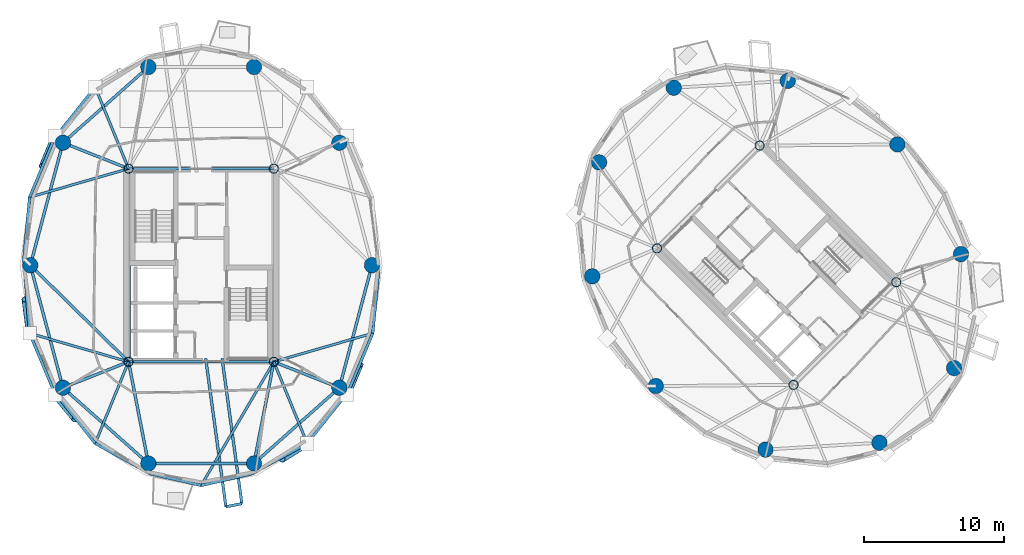
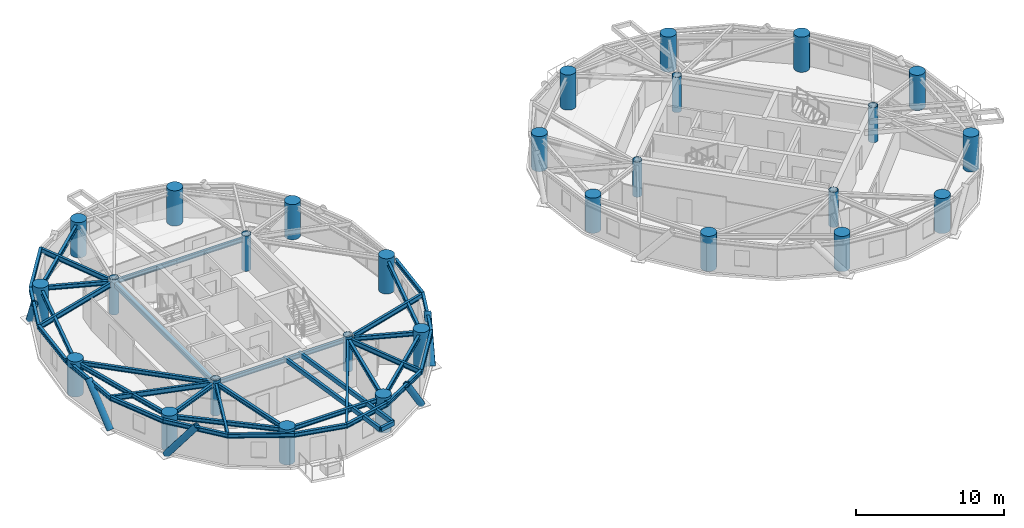
# One storey, part 1 of 16: 39 beams, 28 columns, 5 members.
"""IFC4 building model written with IfcOpenShell, lengths in metres."""

from ifc_helpers import new_model, si_unit, direction, frame, origin, origin_2d, place, context, subcontext, project, spatial, hollow_rectangle, circle, hollow_circle, i_section, extrude, material, material_profile, profile_set, type_object, element, save


model = new_model("IFC4")

# Units and contexts
model_context = context("Model", 3, precision=1e-05, world=origin(), true_north=direction((0.0, 1.0)))
body_context = subcontext(model_context, "Body", "Model", "MODEL_VIEW")
ifc_project = project(units=[si_unit("LENGTHUNIT", "METRE"), si_unit("AREAUNIT", "SQUARE_METRE"), si_unit("VOLUMEUNIT", "CUBIC_METRE"), si_unit("PLANEANGLEUNIT", "RADIAN"), si_unit("MASSUNIT", "GRAM", prefix="KILO")], contexts=[model_context])

# Site, building, storey
site_placement = place(None, origin())
site = spatial("IfcSite", under=ifc_project, at=site_placement, CompositionType="ELEMENT")
building_placement = place(site_placement, origin())
building = spatial("IfcBuilding", under=site, at=building_placement, Name="Cununo Teusaquillo Station Towers", CompositionType="ELEMENT")
storey_placement = place(building_placement, frame((0.0, 0.0, 196.659912109375)))
storey = spatial("IfcBuildingStorey", under=building, at=storey_placement, Name="L62", CompositionType="ELEMENT", Elevation=196.659912109375)

# Columns
ifc_material_1 = material(Name="Steel EN 10025-2 S355J2", Category="steel")
ifc_material_profile_1 = material_profile(ifc_material_1, hollow_circle(Radius=0.330078125, WallThickness=0.02490234375, at=origin_2d()), Name="CHS 660x25")
ifc_profile_set_1 = profile_set([ifc_material_profile_1], Name="Steel EN 10025-2 S355J2")
column_type_1 = type_object("IfcColumnType", Name="COL-CORE-Z3", PredefinedType="COLUMN", material=ifc_profile_set_1)
for number, where, z_axis, x_axis, name in (
    (1, (11.324951171875, 17.6201171875, 0.0), (0.0, 0.0, 1.0), (1.0, 0.0, 0.0), "L62 Tower A Core Column 1"),
    (2, (11.324951171875, 31.3798828125, 0.0), (0.0, 0.0, 1.0), (1.0, 0.0, 0.0), "L62 Tower A Core Column 2"),
    (3, (21.675048828125, 17.6201171875, 0.0), (0.0, 0.0, 1.0), (1.0, 0.0, 0.0), "L62 Tower A Core Column 3"),
    (4, (21.675048828125, 31.3798828125, 0.0), (0.0, 0.0, 1.0), (1.0, 0.0, 0.0), "L62 Tower A Core Column 4"),
    (5, (58.70556640625, 15.975830078125, 0.0), (0.0, 0.0, 1.0), (0.707106781187, 0.707106781187, 0.0), "L62 Tower B Core Column 1"),
    (6, (48.975830078125, 25.70556640625, 0.0), (0.0, 0.0, 1.0), (0.707106781187, 0.707106781187, 0.0), "L62 Tower B Core Column 2"),
    (7, (66.024169921875, 23.29443359375, 0.0), (0.0, 0.0, 1.0), (0.707106781187, 0.707106781187, 0.0), "L62 Tower B Core Column 3"),
    (8, (56.29443359375, 33.024169921875, 0.0), (0.0, 0.0, 1.0), (0.707106781187, 0.707106781187, 0.0), "L62 Tower B Core Column 4"),
):
    element("IfcColumn", number, at=place(storey_placement, frame(where, z_axis=z_axis, x_axis=x_axis)), inside=storey, type_object=column_type_1, Name=name, PredefinedType="COLUMN", context=body_context, shape_type="SweptSolid", body=[
        extrude(hollow_circle(Radius=0.330078125, WallThickness=0.02490234375, at=origin_2d()), origin(), (0.0, 0.0, 1.0), 2.91015625),
    ])
ifc_material_2 = material(Name="Concrete C50/60", Category="concrete")
ifc_material_profile_2 = material_profile(ifc_material_2, circle(Radius=0.550048828125, at=origin_2d()), Name="RC-CIRC-1100")
ifc_profile_set_2 = profile_set([ifc_material_profile_2], Name="Concrete C50/60")
column_type_2 = type_object("IfcColumnType", Name="COL-MEGA-Z4", PredefinedType="USERDEFINED", material=ifc_profile_set_2)
for number, where, z_axis, x_axis, name in (
    (9, (28.672119140625, 24.5, 0.0), (0.0, 0.0, 1.0), (1.0, 0.0, 0.0), "L62 Tower A Perimeter Column V00"),
    (10, (26.347412109375, 33.228515625, 0.0), (0.0, 0.0, 1.0), (1.0, 0.0, 0.0), "L62 Tower A Perimeter Column V02"),
    (11, (20.261474609375, 38.623291015625, 0.0), (0.0, 0.0, 1.0), (1.0, 0.0, 0.0), "L62 Tower A Perimeter Column V04"),
    (12, (12.738525390625, 38.623291015625, 0.0), (0.0, 0.0, 1.0), (1.0, 0.0, 0.0), "L62 Tower A Perimeter Column V06"),
    (13, (6.652587890625, 33.228515625, 0.0), (0.0, 0.0, 1.0), (1.0, 0.0, 0.0), "L62 Tower A Perimeter Column V08"),
    (14, (4.327880859375, 24.5, 0.0), (0.0, 0.0, 1.0), (1.0, 0.0, 0.0), "L62 Tower A Perimeter Column V10"),
    (15, (6.652587890625, 15.771484375, 0.0), (0.0, 0.0, 1.0), (1.0, 0.0, 0.0), "L62 Tower A Perimeter Column V12"),
    (16, (12.738525390625, 10.376708984375, 0.0), (0.0, 0.0, 1.0), (1.0, 0.0, 0.0), "L62 Tower A Perimeter Column V14"),
    (17, (20.261474609375, 10.376708984375, 0.0), (0.0, 0.0, 1.0), (1.0, 0.0, 0.0), "L62 Tower A Perimeter Column V16"),
    (18, (26.347412109375, 15.771484375, 0.0), (0.0, 0.0, 1.0), (1.0, 0.0, 0.0), "L62 Tower A Perimeter Column V18"),
    (19, (66.10693359375, 33.10693359375, 0.0), (0.0, 0.0, 1.0), (1.0, 0.0, 0.0), "L62 Tower B Perimeter Column V00"),
    (20, (58.291015625, 37.63525390625, 0.0), (0.0, 0.0, 1.0), (1.0, 0.0, 0.0), "L62 Tower B Perimeter Column V02"),
    (21, (50.173095703125, 37.146240234375, 0.0), (0.0, 0.0, 1.0), (1.0, 0.0, 0.0), "L62 Tower B Perimeter Column V04"),
    (22, (44.853759765625, 31.826904296875, 0.0), (0.0, 0.0, 1.0), (1.0, 0.0, 0.0), "L62 Tower B Perimeter Column V06"),
    (23, (44.36474609375, 23.708984375, 0.0), (0.0, 0.0, 1.0), (1.0, 0.0, 0.0), "L62 Tower B Perimeter Column V08"),
    (24, (48.89306640625, 15.89306640625, 0.0), (0.0, 0.0, 1.0), (1.0, 0.0, 0.0), "L62 Tower B Perimeter Column V10"),
    (25, (56.708984375, 11.36474609375, 0.0), (0.0, 0.0, 1.0), (1.0, 0.0, 0.0), "L62 Tower B Perimeter Column V12"),
    (26, (64.826904296875, 11.853759765625, 0.0), (0.0, 0.0, 1.0), (1.0, 0.0, 0.0), "L62 Tower B Perimeter Column V14"),
    (27, (70.146240234375, 17.173095703125, 0.0), (0.0, 0.0, 1.0), (1.0, 0.0, 0.0), "L62 Tower B Perimeter Column V16"),
    (28, (70.63525390625, 25.291015625, 0.0), (0.0, 0.0, 1.0), (1.0, 0.0, 0.0), "L62 Tower B Perimeter Column V18"),
):
    element("IfcColumn", number, at=place(storey_placement, frame(where, z_axis=z_axis, x_axis=x_axis)), inside=storey, type_object=column_type_2, Name=name, ObjectType="MEGA COLUMN", PredefinedType="USERDEFINED", context=body_context, shape_type="SweptSolid", body=[
        extrude(circle(Radius=0.550048828125, at=origin_2d()), origin(), (0.0, 0.0, 1.0), 2.91015625),
    ])

# Beams
ifc_material_3 = material(Name="Steel EN 10025-2 S355J2", Category="steel")
ifc_material_profile_3 = material_profile(ifc_material_3, hollow_rectangle(XDim=0.199951171875, YDim=0.35009765625, WallThickness=0.013916015625, at=origin_2d()), Name="RHS 350x200x14")
ifc_profile_set_3 = profile_set([ifc_material_profile_3], Name="Steel EN 10025-2 S355J2")
beam_type_1 = type_object("IfcBeamType", Name="BM-BAL-CANT", PredefinedType="BEAM", material=ifc_profile_set_3)
beam_1_placement = place(storey_placement, frame((16.822998046875, 17.85009765625, 2.525146484375), z_axis=(0.135006880627, -0.990844660975, 0.0), x_axis=(0.990844660975, 0.135006880627, 0.0)))
element("IfcBeam", 29, at=beam_1_placement, inside=storey, type_object=beam_type_1, Name="L62 Tower A Balcony Cantilever Bracket 2A", PredefinedType="BEAM", context=body_context, shape_type="SweptSolid", body=[
    extrude(hollow_rectangle(XDim=0.199951171875, YDim=0.35009765625, WallThickness=0.013916015625, at=origin_2d()), origin(), (0.0, 0.0, 1.0), 10.65673828125),
])
beam_2_placement = place(storey_placement, frame((17.9892578125, 17.85009765625, 2.525146484375), z_axis=(0.135018196505, -0.990843119072, 0.0), x_axis=(0.990843119072, 0.135018196505, 0.0)))
element("IfcBeam", 30, at=beam_2_placement, inside=storey, type_object=beam_type_1, Name="L62 Tower A Balcony Cantilever Bracket 2B", PredefinedType="BEAM", context=body_context, shape_type="SweptSolid", body=[
    extrude(hollow_rectangle(XDim=0.199951171875, YDim=0.35009765625, WallThickness=0.013916015625, at=origin_2d()), origin(), (0.0, 0.0, 1.0), 10.43505859375),
])
ifc_material_4 = material(Name="Steel EN 10025-2 S355J2", Category="steel")
ifc_material_profile_4 = material_profile(ifc_material_4, hollow_rectangle(XDim=0.25, YDim=0.449951171875, WallThickness=0.01611328125, at=origin_2d()), Name="RHS 450x250x16")
ifc_profile_set_4 = profile_set([ifc_material_profile_4], Name="Steel EN 10025-2 S355J2")
beam_type_2 = type_object("IfcBeamType", Name="BM-COUP-1", PredefinedType="USERDEFINED", material=ifc_profile_set_4)
beam_3_placement = place(storey_placement, frame((11.324951171875, 17.6201171875, 2.47509765625), z_axis=(0.0, 1.0, 0.0), x_axis=(-1.0, 0.0, 0.0)))
element("IfcBeam", 31, at=beam_3_placement, inside=storey, type_object=beam_type_2, Name="L62 Tower A Core Beam 1", ObjectType="COUPLING BEAM", PredefinedType="USERDEFINED", context=body_context, shape_type="SweptSolid", body=[
    extrude(hollow_rectangle(XDim=0.25, YDim=0.449951171875, WallThickness=0.01611328125, at=origin_2d()), origin(), (0.0, 0.0, 1.0), 13.759765625),
])
ifc_material_5 = material(Name="Steel ASTM A572 Grade 50", Category="steel")
ifc_material_profile_5 = material_profile(ifc_material_5, i_section(OverallWidth=0.180908203125, OverallDepth=0.4169921875, WebThickness=0.010986328125, FlangeThickness=0.018310546875, FilletRadius=0.012939453125, at=origin_2d()), Name="W16X57")
ifc_profile_set_5 = profile_set([ifc_material_profile_5], Name="Steel ASTM A572 Grade 50")
beam_type_3 = type_object("IfcBeamType", Name="BM-JOIST-1", PredefinedType="JOIST", material=ifc_profile_set_5)
beam_4_placement = place(storey_placement, frame((11.324951171875, 31.3798828125, 2.49169921875), z_axis=(-0.378576847217, 0.925569862707, 0.0), x_axis=(-0.925569862707, -0.378576847217, 0.0)))
element("IfcBeam", 32, at=beam_4_placement, inside=storey, type_object=beam_type_3, Name="L62 Tower A Radial Spandrel Joist V07", PredefinedType="JOIST", context=body_context, shape_type="SweptSolid", body=[
    extrude(i_section(OverallWidth=0.180908203125, OverallDepth=0.4169921875, WebThickness=0.010986328125, FlangeThickness=0.018310546875, FilletRadius=0.012939453125, at=origin_2d()), origin(), (0.0, 0.0, 1.0), 6.28125),
])
for number, where, z_axis, x_axis, name in (
    (33, (11.324951171875, 31.3798828125, 2.49169921875), (-0.960861603375, -0.277028841748, 0.0), (0.277028841748, -0.960861603375, 0.0), "L62 Tower A Radial Spandrel Joist V09"),
    (34, (11.324951171875, 17.6201171875, 2.49169921875), (-0.960861603375, 0.277028841748, 0.0), (-0.277028841748, -0.960861603375, 0.0), "L62 Tower A Radial Spandrel Joist V11"),
):
    element("IfcBeam", number, at=place(storey_placement, frame(where, z_axis=z_axis, x_axis=x_axis)), inside=storey, type_object=beam_type_3, Name=name, PredefinedType="JOIST", context=body_context, shape_type="SweptSolid", body=[
        extrude(i_section(OverallWidth=0.180908203125, OverallDepth=0.4169921875, WebThickness=0.010986328125, FlangeThickness=0.018310546875, FilletRadius=0.012939453125, at=origin_2d()), origin(), (0.0, 0.0, 1.0), 7.333251953125),
    ])
beam_5_placement = place(storey_placement, frame((11.324951171875, 17.6201171875, 2.49169921875), z_axis=(-0.378576847217, -0.925569862707, 0.0), x_axis=(0.925569862707, -0.378576847217, 0.0)))
element("IfcBeam", 35, at=beam_5_placement, inside=storey, type_object=beam_type_3, Name="L62 Tower A Radial Spandrel Joist V13", PredefinedType="JOIST", context=body_context, shape_type="SweptSolid", body=[
    extrude(i_section(OverallWidth=0.180908203125, OverallDepth=0.4169921875, WebThickness=0.010986328125, FlangeThickness=0.018310546875, FilletRadius=0.012939453125, at=origin_2d()), origin(), (0.0, 0.0, 1.0), 6.28125),
])
beam_6_placement = place(storey_placement, frame((21.675048828125, 17.6201171875, 2.49169921875), z_axis=(-0.506486432091, -0.862247930765, 0.0), x_axis=(0.862247930765, -0.506486432091, 0.0)))
element("IfcBeam", 36, at=beam_6_placement, inside=storey, type_object=beam_type_3, Name="L62 Tower A Radial Spandrel Joist V15", PredefinedType="JOIST", context=body_context, shape_type="SweptSolid", body=[
    extrude(i_section(OverallWidth=0.180908203125, OverallDepth=0.4169921875, WebThickness=0.010986328125, FlangeThickness=0.018310546875, FilletRadius=0.012939453125, at=origin_2d()), origin(), (0.0, 0.0, 1.0), 10.217529296875),
])
beam_7_placement = place(storey_placement, frame((21.675048828125, 17.6201171875, 2.49169921875), z_axis=(0.378576847217, -0.925569862707, 0.0), x_axis=(0.925569862707, 0.378576847217, 0.0)))
element("IfcBeam", 37, at=beam_7_placement, inside=storey, type_object=beam_type_3, Name="L62 Tower A Radial Spandrel Joist V17", PredefinedType="JOIST", context=body_context, shape_type="SweptSolid", body=[
    extrude(i_section(OverallWidth=0.180908203125, OverallDepth=0.4169921875, WebThickness=0.010986328125, FlangeThickness=0.018310546875, FilletRadius=0.012939453125, at=origin_2d()), origin(), (0.0, 0.0, 1.0), 6.28125),
])
beam_8_placement = place(storey_placement, frame((21.675048828125, 17.6201171875, 2.49169921875), z_axis=(0.960861603375, 0.277028841748, 0.0), x_axis=(-0.277028841748, 0.960861603375, 0.0)))
element("IfcBeam", 38, at=beam_8_placement, inside=storey, type_object=beam_type_3, Name="L62 Tower A Radial Spandrel Joist V19", PredefinedType="JOIST", context=body_context, shape_type="SweptSolid", body=[
    extrude(i_section(OverallWidth=0.180908203125, OverallDepth=0.4169921875, WebThickness=0.010986328125, FlangeThickness=0.018310546875, FilletRadius=0.012939453125, at=origin_2d()), origin(), (0.0, 0.0, 1.0), 7.333251953125),
])
ifc_material_6 = material(Name="Steel ASTM A572 Grade 50", Category="steel")
ifc_material_profile_6 = material_profile(ifc_material_6, i_section(OverallWidth=0.2041015625, OverallDepth=0.35009765625, WebThickness=0.008544921875, FlangeThickness=0.01513671875, FilletRadius=0.011962890625, at=origin_2d()), Name="W14X48")
ifc_profile_set_6 = profile_set([ifc_material_profile_6], Name="Steel ASTM A572 Grade 50")
beam_type_4 = type_object("IfcBeamType", Name="BM-LINTEL-1", PredefinedType="LINTEL", material=ifc_profile_set_6)
for number, where, z_axis, x_axis, name in (
    (39, (11.324951171875, 17.6201171875, 2.525146484375), (1.0, 0.0, 0.0), (0.0, 1.0, 0.0), "L62 Tower A Core Beam 3"),
    (40, (11.324951171875, 31.3798828125, 2.525146484375), (1.0, 0.0, 0.0), (0.0, 1.0, 0.0), "L62 Tower A Core Beam 4"),
):
    element("IfcBeam", number, at=place(storey_placement, frame(where, z_axis=z_axis, x_axis=x_axis)), inside=storey, type_object=beam_type_4, Name=name, PredefinedType="LINTEL", context=body_context, shape_type="SweptSolid", body=[
        extrude(i_section(OverallWidth=0.2041015625, OverallDepth=0.35009765625, WebThickness=0.008544921875, FlangeThickness=0.01513671875, FilletRadius=0.011962890625, at=origin_2d()), origin(), (0.0, 0.0, 1.0), 10.35009765625),
    ])
ifc_material_7 = material(Name="Steel ASTM A572 Grade 50", Category="steel")
ifc_material_profile_7 = material_profile(ifc_material_7, i_section(OverallWidth=0.2041015625, OverallDepth=0.35009765625, WebThickness=0.008544921875, FlangeThickness=0.01513671875, FilletRadius=0.011962890625, at=origin_2d()), Name="W14X48")
ifc_profile_set_7 = profile_set([ifc_material_profile_7], Name="Steel ASTM A572 Grade 50")
beam_type_5 = type_object("IfcBeamType", Name="BM-RAD-G3", PredefinedType="BEAM", material=ifc_profile_set_7)
beam_9_placement = place(storey_placement, frame((11.324951171875, 31.3798828125, 2.525146484375), z_axis=(-0.929851670487, 0.36793460138, 0.0), x_axis=(-0.36793460138, -0.929851670487, 0.0)))
element("IfcBeam", 41, at=beam_9_placement, inside=storey, type_object=beam_type_5, Name="L62 Tower A Continuous Overhanging Radial Girder 05", PredefinedType="BEAM", context=body_context, shape_type="SweptSolid", body=[
    extrude(i_section(OverallWidth=0.2041015625, OverallDepth=0.35009765625, WebThickness=0.008544921875, FlangeThickness=0.01513671875, FilletRadius=0.011962890625, at=origin_2d()), origin(), (0.0, 0.0, 1.0), 5.71630859375),
])
beam_10_placement = place(storey_placement, frame((11.324951171875, 17.6201171875, 2.525146484375), z_axis=(-0.713052701438, 0.701110437073, 0.0), x_axis=(-0.701110437073, -0.713052701438, 0.0)))
element("IfcBeam", 42, at=beam_10_placement, inside=storey, type_object=beam_type_5, Name="L62 Tower A Radial Girder 06A", PredefinedType="BEAM", context=body_context, shape_type="SweptSolid", body=[
    extrude(i_section(OverallWidth=0.2041015625, OverallDepth=0.35009765625, WebThickness=0.008544921875, FlangeThickness=0.01513671875, FilletRadius=0.011962890625, at=origin_2d()), origin(), (0.0, 0.0, 1.0), 9.812744140625),
])
beam_11_placement = place(storey_placement, frame((11.324951171875, 17.6201171875, 2.525146484375), z_axis=(-0.929851670487, -0.36793460138, 0.0), x_axis=(0.36793460138, -0.929851670487, 0.0)))
element("IfcBeam", 43, at=beam_11_placement, inside=storey, type_object=beam_type_5, Name="L62 Tower A Continuous Overhanging Radial Girder 07", PredefinedType="BEAM", context=body_context, shape_type="SweptSolid", body=[
    extrude(i_section(OverallWidth=0.2041015625, OverallDepth=0.35009765625, WebThickness=0.008544921875, FlangeThickness=0.01513671875, FilletRadius=0.011962890625, at=origin_2d()), origin(), (0.0, 0.0, 1.0), 5.71630859375),
])
for number, where, z_axis, x_axis, name in (
    (44, (11.324951171875, 17.6201171875, 2.525146484375), (0.191548487699, -0.981483151593, 0.0), (0.981483151593, 0.191548487699, 0.0), "L62 Tower A Continuous Overhanging Radial Girder 08"),
    (45, (21.675048828125, 17.6201171875, 2.525146484375), (-0.191548487699, -0.981483151593, 0.0), (0.981483151593, -0.191548487699, 0.0), "L62 Tower A Continuous Overhanging Radial Girder 09"),
):
    element("IfcBeam", number, at=place(storey_placement, frame(where, z_axis=z_axis, x_axis=x_axis)), inside=storey, type_object=beam_type_5, Name=name, PredefinedType="BEAM", context=body_context, shape_type="SweptSolid", body=[
        extrude(i_section(OverallWidth=0.2041015625, OverallDepth=0.35009765625, WebThickness=0.008544921875, FlangeThickness=0.01513671875, FilletRadius=0.011962890625, at=origin_2d()), origin(), (0.0, 0.0, 1.0), 8.1240234375),
    ])
beam_12_placement = place(storey_placement, frame((21.675048828125, 17.6201171875, 2.525146484375), z_axis=(0.929851670487, -0.36793460138, 0.0), x_axis=(0.36793460138, 0.929851670487, 0.0)))
element("IfcBeam", 46, at=beam_12_placement, inside=storey, type_object=beam_type_5, Name="L62 Tower A Continuous Overhanging Radial Girder 10", PredefinedType="BEAM", context=body_context, shape_type="SweptSolid", body=[
    extrude(i_section(OverallWidth=0.2041015625, OverallDepth=0.35009765625, WebThickness=0.008544921875, FlangeThickness=0.01513671875, FilletRadius=0.011962890625, at=origin_2d()), origin(), (0.0, 0.0, 1.0), 5.71630859375),
])
ifc_material_8 = material(Name="Steel ASTM A572 Grade 50", Category="steel")
ifc_material_profile_8 = material_profile(ifc_material_8, i_section(OverallWidth=0.2041015625, OverallDepth=0.35009765625, WebThickness=0.008544921875, FlangeThickness=0.01513671875, FilletRadius=0.011962890625, at=origin_2d()), Name="W14X48")
ifc_profile_set_8 = profile_set([ifc_material_profile_8], Name="Steel ASTM A572 Grade 50")
beam_type_6 = type_object("IfcBeamType", Name="BM-RING-Z4", PredefinedType="SPANDREL", material=ifc_profile_set_8)
beam_13_placement = place(storey_placement, frame((12.738525390625, 38.623291015625, 2.525146484375), z_axis=(-0.74832120039, -0.66333655187, 0.0), x_axis=(0.66333655187, -0.74832120039, 0.0)))
element("IfcBeam", 47, at=beam_13_placement, inside=storey, type_object=beam_type_6, Name="L62 Tower A Structural Column Ring Girder 04", PredefinedType="SPANDREL", context=body_context, shape_type="SweptSolid", body=[
    extrude(i_section(OverallWidth=0.2041015625, OverallDepth=0.35009765625, WebThickness=0.008544921875, FlangeThickness=0.01513671875, FilletRadius=0.011962890625, at=origin_2d()), origin(), (0.0, 0.0, 1.0), 8.1328125),
])
for number, where, z_axis, x_axis, name in (
    (48, (6.652587890625, 33.228515625, 2.525146484375), (-0.257363196347, -0.966314744359, 0.0), (0.966314744359, -0.257363196347, 0.0), "L62 Tower A Structural Column Ring Girder 05"),
    (49, (4.327880859375, 24.5, 2.525146484375), (0.257363196347, -0.966314744359, 0.0), (0.966314744359, 0.257363196347, 0.0), "L62 Tower A Structural Column Ring Girder 06"),
):
    element("IfcBeam", number, at=place(storey_placement, frame(where, z_axis=z_axis, x_axis=x_axis)), inside=storey, type_object=beam_type_6, Name=name, PredefinedType="SPANDREL", context=body_context, shape_type="SweptSolid", body=[
        extrude(i_section(OverallWidth=0.2041015625, OverallDepth=0.35009765625, WebThickness=0.008544921875, FlangeThickness=0.01513671875, FilletRadius=0.011962890625, at=origin_2d()), origin(), (0.0, 0.0, 1.0), 9.03271484375),
    ])
beam_14_placement = place(storey_placement, frame((6.652587890625, 15.771484375, 2.525146484375), z_axis=(0.74832120039, -0.66333655187, 0.0), x_axis=(0.66333655187, 0.74832120039, 0.0)))
element("IfcBeam", 50, at=beam_14_placement, inside=storey, type_object=beam_type_6, Name="L62 Tower A Structural Column Ring Girder 07", PredefinedType="SPANDREL", context=body_context, shape_type="SweptSolid", body=[
    extrude(i_section(OverallWidth=0.2041015625, OverallDepth=0.35009765625, WebThickness=0.008544921875, FlangeThickness=0.01513671875, FilletRadius=0.011962890625, at=origin_2d()), origin(), (0.0, 0.0, 1.0), 8.1328125),
])
beam_15_placement = place(storey_placement, frame((12.738525390625, 10.376708984375, 2.525146484375), z_axis=(1.0, 0.0, 0.0), x_axis=(0.0, 1.0, 0.0)))
element("IfcBeam", 51, at=beam_15_placement, inside=storey, type_object=beam_type_6, Name="L62 Tower A Structural Column Ring Girder 08", PredefinedType="SPANDREL", context=body_context, shape_type="SweptSolid", body=[
    extrude(i_section(OverallWidth=0.2041015625, OverallDepth=0.35009765625, WebThickness=0.008544921875, FlangeThickness=0.01513671875, FilletRadius=0.011962890625, at=origin_2d()), origin(), (0.0, 0.0, 1.0), 7.52294921875),
])
beam_16_placement = place(storey_placement, frame((20.261474609375, 10.376708984375, 2.525146484375), z_axis=(0.74832120039, 0.66333655187, 0.0), x_axis=(-0.66333655187, 0.74832120039, 0.0)))
element("IfcBeam", 52, at=beam_16_placement, inside=storey, type_object=beam_type_6, Name="L62 Tower A Structural Column Ring Girder 09", PredefinedType="SPANDREL", context=body_context, shape_type="SweptSolid", body=[
    extrude(i_section(OverallWidth=0.2041015625, OverallDepth=0.35009765625, WebThickness=0.008544921875, FlangeThickness=0.01513671875, FilletRadius=0.011962890625, at=origin_2d()), origin(), (0.0, 0.0, 1.0), 8.1328125),
])
beam_17_placement = place(storey_placement, frame((26.347412109375, 15.771484375, 2.525146484375), z_axis=(0.257363196347, 0.966314744359, 0.0), x_axis=(-0.966314744359, 0.257363196347, 0.0)))
element("IfcBeam", 53, at=beam_17_placement, inside=storey, type_object=beam_type_6, Name="L62 Tower A Structural Column Ring Girder 10", PredefinedType="SPANDREL", context=body_context, shape_type="SweptSolid", body=[
    extrude(i_section(OverallWidth=0.2041015625, OverallDepth=0.35009765625, WebThickness=0.008544921875, FlangeThickness=0.01513671875, FilletRadius=0.011962890625, at=origin_2d()), origin(), (0.0, 0.0, 1.0), 9.03271484375),
])
beam_18_placement = place(storey_placement, frame((8.947021484375, 37.193603515625, 2.525146484375), z_axis=(-0.620710872531, -0.784039547932, 0.0), x_axis=(0.784039547932, -0.620710872531, 0.0)))
element("IfcBeam", 54, at=beam_18_placement, inside=storey, type_object=beam_type_6, Name="L62 Tower A Spandrel Ring Beam 08", PredefinedType="SPANDREL", context=body_context, shape_type="SweptSolid", body=[
    extrude(i_section(OverallWidth=0.2041015625, OverallDepth=0.35009765625, WebThickness=0.008544921875, FlangeThickness=0.01513671875, FilletRadius=0.011962890625, at=origin_2d()), origin(), (0.0, 0.0, 1.0), 4.732421875),
])
beam_19_placement = place(storey_placement, frame((6.009521484375, 33.483154296875, 2.525146484375), z_axis=(-0.386115454066, -0.922450462698, 0.0), x_axis=(0.922450462698, -0.386115454066, 0.0)))
element("IfcBeam", 55, at=beam_19_placement, inside=storey, type_object=beam_type_6, Name="L62 Tower A Spandrel Ring Beam 09", PredefinedType="SPANDREL", context=body_context, shape_type="SweptSolid", body=[
    extrude(i_section(OverallWidth=0.2041015625, OverallDepth=0.35009765625, WebThickness=0.008544921875, FlangeThickness=0.01513671875, FilletRadius=0.011962890625, at=origin_2d()), origin(), (0.0, 0.0, 1.0), 4.482421875),
])
beam_20_placement = place(storey_placement, frame((4.27880859375, 29.348388671875, 2.525146484375), z_axis=(-0.093902932611, -0.995581357422, 0.0), x_axis=(0.995581357422, -0.093902932611, 0.0)))
element("IfcBeam", 56, at=beam_20_placement, inside=storey, type_object=beam_type_6, Name="L62 Tower A Spandrel Ring Beam 10", PredefinedType="SPANDREL", context=body_context, shape_type="SweptSolid", body=[
    extrude(i_section(OverallWidth=0.2041015625, OverallDepth=0.35009765625, WebThickness=0.008544921875, FlangeThickness=0.01513671875, FilletRadius=0.011962890625, at=origin_2d()), origin(), (0.0, 0.0, 1.0), 4.412109375),
])
beam_21_placement = place(storey_placement, frame((3.864501953125, 24.955810546875, 2.525146484375), z_axis=(0.077871988965, -0.996963366095, 0.0), x_axis=(0.996963366095, 0.077871988965, 0.0)))
element("IfcBeam", 57, at=beam_21_placement, inside=storey, type_object=beam_type_6, Name="L62 Tower A Spandrel Ring Beam 11", PredefinedType="SPANDREL", context=body_context, shape_type="SweptSolid", body=[
    extrude(i_section(OverallWidth=0.2041015625, OverallDepth=0.35009765625, WebThickness=0.008544921875, FlangeThickness=0.01513671875, FilletRadius=0.011962890625, at=origin_2d()), origin(), (0.0, 0.0, 1.0), 5.3203125),
])
beam_22_placement = place(storey_placement, frame((4.27880859375, 19.651611328125, 2.525146484375), z_axis=(0.386115454066, -0.922450462698, 0.0), x_axis=(0.922450462698, 0.386115454066, 0.0)))
element("IfcBeam", 58, at=beam_22_placement, inside=storey, type_object=beam_type_6, Name="L62 Tower A Spandrel Ring Beam 12", PredefinedType="SPANDREL", context=body_context, shape_type="SweptSolid", body=[
    extrude(i_section(OverallWidth=0.2041015625, OverallDepth=0.35009765625, WebThickness=0.008544921875, FlangeThickness=0.01513671875, FilletRadius=0.011962890625, at=origin_2d()), origin(), (0.0, 0.0, 1.0), 4.482421875),
])
beam_23_placement = place(storey_placement, frame((6.009521484375, 15.516845703125, 2.525146484375), z_axis=(0.620710872531, -0.784039547932, 0.0), x_axis=(0.784039547932, 0.620710872531, 0.0)))
element("IfcBeam", 59, at=beam_23_placement, inside=storey, type_object=beam_type_6, Name="L62 Tower A Spandrel Ring Beam 13", PredefinedType="SPANDREL", context=body_context, shape_type="SweptSolid", body=[
    extrude(i_section(OverallWidth=0.2041015625, OverallDepth=0.35009765625, WebThickness=0.008544921875, FlangeThickness=0.01513671875, FilletRadius=0.011962890625, at=origin_2d()), origin(), (0.0, 0.0, 1.0), 4.732421875),
])
beam_24_placement = place(storey_placement, frame((8.947021484375, 11.806396484375, 2.525146484375), z_axis=(0.876576300909, -0.481262910149, 0.0), x_axis=(0.481262910149, 0.876576300909, 0.0)))
element("IfcBeam", 60, at=beam_24_placement, inside=storey, type_object=beam_type_6, Name="L62 Tower A Spandrel Ring Beam 14", PredefinedType="SPANDREL", context=body_context, shape_type="SweptSolid", body=[
    extrude(i_section(OverallWidth=0.2041015625, OverallDepth=0.35009765625, WebThickness=0.008544921875, FlangeThickness=0.01513671875, FilletRadius=0.011962890625, at=origin_2d()), origin(), (0.0, 0.0, 1.0), 4.488037109375),
])
for number, where, z_axis, x_axis, name in (
    (61, (12.881103515625, 9.646484375, 2.525146484375), (0.97431470066, -0.225190728224, 0.0), (0.225190728224, 0.97431470066, 0.0), "L62 Tower A Spandrel Ring Beam 15"),
    (62, (16.5, 8.81005859375, 2.525146484375), (0.97431470066, 0.225190728224, 0.0), (-0.225190728224, 0.97431470066, 0.0), "L62 Tower A Spandrel Ring Beam 16"),
):
    element("IfcBeam", number, at=place(storey_placement, frame(where, z_axis=z_axis, x_axis=x_axis)), inside=storey, type_object=beam_type_6, Name=name, PredefinedType="SPANDREL", context=body_context, shape_type="SweptSolid", body=[
        extrude(i_section(OverallWidth=0.2041015625, OverallDepth=0.35009765625, WebThickness=0.008544921875, FlangeThickness=0.01513671875, FilletRadius=0.011962890625, at=origin_2d()), origin(), (0.0, 0.0, 1.0), 3.71435546875),
    ])
beam_25_placement = place(storey_placement, frame((20.118896484375, 9.646484375, 2.525146484375), z_axis=(0.876576300909, 0.481262910149, 0.0), x_axis=(-0.481262910149, 0.876576300909, 0.0)))
element("IfcBeam", 63, at=beam_25_placement, inside=storey, type_object=beam_type_6, Name="L62 Tower A Spandrel Ring Beam 17", PredefinedType="SPANDREL", context=body_context, shape_type="SweptSolid", body=[
    extrude(i_section(OverallWidth=0.2041015625, OverallDepth=0.35009765625, WebThickness=0.008544921875, FlangeThickness=0.01513671875, FilletRadius=0.011962890625, at=origin_2d()), origin(), (0.0, 0.0, 1.0), 4.488037109375),
])
beam_26_placement = place(storey_placement, frame((24.052978515625, 11.806396484375, 2.525146484375), z_axis=(0.620710872531, 0.784039547932, 0.0), x_axis=(-0.784039547932, 0.620710872531, 0.0)))
element("IfcBeam", 64, at=beam_26_placement, inside=storey, type_object=beam_type_6, Name="L62 Tower A Spandrel Ring Beam 18", PredefinedType="SPANDREL", context=body_context, shape_type="SweptSolid", body=[
    extrude(i_section(OverallWidth=0.2041015625, OverallDepth=0.35009765625, WebThickness=0.008544921875, FlangeThickness=0.01513671875, FilletRadius=0.011962890625, at=origin_2d()), origin(), (0.0, 0.0, 1.0), 4.732421875),
])
beam_27_placement = place(storey_placement, frame((26.990478515625, 15.516845703125, 2.525146484375), z_axis=(0.386115454066, 0.922450462698, 0.0), x_axis=(-0.922450462698, 0.386115454066, 0.0)))
element("IfcBeam", 65, at=beam_27_placement, inside=storey, type_object=beam_type_6, Name="L62 Tower A Spandrel Ring Beam 19", PredefinedType="SPANDREL", context=body_context, shape_type="SweptSolid", body=[
    extrude(i_section(OverallWidth=0.2041015625, OverallDepth=0.35009765625, WebThickness=0.008544921875, FlangeThickness=0.01513671875, FilletRadius=0.011962890625, at=origin_2d()), origin(), (0.0, 0.0, 1.0), 4.482421875),
])
beam_28_placement = place(storey_placement, frame((28.72119140625, 19.651611328125, 2.525146484375), z_axis=(0.093902932611, 0.995581357422, 0.0), x_axis=(-0.995581357422, 0.093902932611, 0.0)))
element("IfcBeam", 66, at=beam_28_placement, inside=storey, type_object=beam_type_6, Name="L62 Tower A Spandrel Ring Beam 20", PredefinedType="SPANDREL", context=body_context, shape_type="SweptSolid", body=[
    extrude(i_section(OverallWidth=0.2041015625, OverallDepth=0.35009765625, WebThickness=0.008544921875, FlangeThickness=0.01513671875, FilletRadius=0.011962890625, at=origin_2d()), origin(), (0.0, 0.0, 1.0), 4.412109375),
])
ifc_material_9 = material(Name="Steel EN 10025-2 S355J2", Category="steel")
ifc_material_profile_9 = material_profile(ifc_material_9, hollow_rectangle(XDim=0.199951171875, YDim=0.35009765625, WallThickness=0.013916015625, at=origin_2d()), Name="RHS 350x200x14")
ifc_profile_set_9 = profile_set([ifc_material_profile_9], Name="Steel EN 10025-2 S355J2")
beam_type_7 = type_object("IfcBeamType", Name="BM-STAIR-TRIM", PredefinedType="BEAM", material=ifc_profile_set_9)
beam_29_placement = place(storey_placement, frame((18.26171875, 7.291015625, 2.525146484375), z_axis=(0.981857200028, 0.189621830897, 0.0), x_axis=(-0.189621830897, 0.981857200028, 0.0)))
element("IfcBeam", 67, at=beam_29_placement, inside=storey, type_object=beam_type_7, Name="L62 Tower A Balcony Edge Trimmer Beam 2", PredefinedType="BEAM", context=body_context, shape_type="SweptSolid", body=[
    extrude(hollow_rectangle(XDim=0.199951171875, YDim=0.35009765625, WallThickness=0.013916015625, at=origin_2d()), origin(), (0.0, 0.0, 1.0), 1.157470703125),
])

# Members
ifc_material_10 = material(Name="Steel EN 10025-2 S355J2", Category="steel")
ifc_material_profile_10 = material_profile(ifc_material_10, hollow_circle(Radius=0.25390625, WallThickness=0.01806640625, at=origin_2d()), Name="CHS 508x18")
ifc_profile_set_10 = profile_set([ifc_material_profile_10], Name="Steel EN 10025-2 S355J2")
member_type = type_object("IfcMemberType", Name="MBR-DIAG-Z4", PredefinedType="BRACE", material=ifc_profile_set_10)
member_1_placement = place(storey_placement, frame((6.10400390625, 33.722412109375, -0.139892578125), z_axis=(-0.243178360097, -0.58276932845, 0.77539937774), x_axis=(0.922875628603, -0.385098135713, 0.0)))
element("IfcMember", 68, at=member_1_placement, inside=storey, type_object=member_type, Name="L62 Tower A Folded-Zigzag Diagrid Tube C08", PredefinedType="BRACE", context=body_context, shape_type="SweptSolid", body=[
    extrude(hollow_circle(Radius=0.25390625, WallThickness=0.01806640625, at=origin_2d()), origin(), (0.0, 0.0, 1.0), 3.752685546875),
])
member_2_placement = place(storey_placement, frame((4.27880859375, 19.651611328125, -0.139892578125), z_axis=(-0.08267958367, 0.637859818385, 0.765701598885), x_axis=(-0.991703685637, -0.128544933368, 0.0)))
element("IfcMember", 69, at=member_2_placement, inside=storey, type_object=member_type, Name="L62 Tower A Folded-Zigzag Diagrid Tube C10", PredefinedType="BRACE", context=body_context, shape_type="SweptSolid", body=[
    extrude(hollow_circle(Radius=0.25390625, WallThickness=0.01806640625, at=origin_2d()), origin(), (0.0, 0.0, 1.0), 3.80029296875),
])
member_3_placement = place(storey_placement, frame((6.10400390625, 15.277587890625, -0.139892578125), z_axis=(0.386849297016, -0.472365450444, 0.791971276389), x_axis=(0.773661438449, 0.633599225581, 0.0)))
element("IfcMember", 70, at=member_3_placement, inside=storey, type_object=member_type, Name="L62 Tower A Folded-Zigzag Diagrid Tube C12", PredefinedType="BRACE", context=body_context, shape_type="SweptSolid", body=[
    extrude(hollow_circle(Radius=0.25390625, WallThickness=0.01806640625, at=origin_2d()), origin(), (0.0, 0.0, 1.0), 3.67431640625),
])
member_4_placement = place(storey_placement, frame((24.052978515625, 11.806396484375, -0.139892578125), z_axis=(-0.498333742466, -0.310032061152, 0.809656471708), x_axis=(0.528249968439, -0.849088906325, 0.0)))
element("IfcMember", 71, at=member_4_placement, inside=storey, type_object=member_type, Name="L62 Tower A Folded-Zigzag Diagrid Tube C16", PredefinedType="BRACE", context=body_context, shape_type="SweptSolid", body=[
    extrude(hollow_circle(Radius=0.25390625, WallThickness=0.01806640625, at=origin_2d()), origin(), (0.0, 0.0, 1.0), 3.593994140625),
])
member_5_placement = place(storey_placement, frame((26.89599609375, 15.277587890625, -0.139892578125), z_axis=(0.243178360097, 0.58276932845, 0.77539937774), x_axis=(-0.922875628603, 0.385098135713, 0.0)))
element("IfcMember", 72, at=member_5_placement, inside=storey, type_object=member_type, Name="L62 Tower A Folded-Zigzag Diagrid Tube C18", PredefinedType="BRACE", context=body_context, shape_type="SweptSolid", body=[
    extrude(hollow_circle(Radius=0.25390625, WallThickness=0.01806640625, at=origin_2d()), origin(), (0.0, 0.0, 1.0), 3.752685546875),
])

save(model, "model.ifc")
